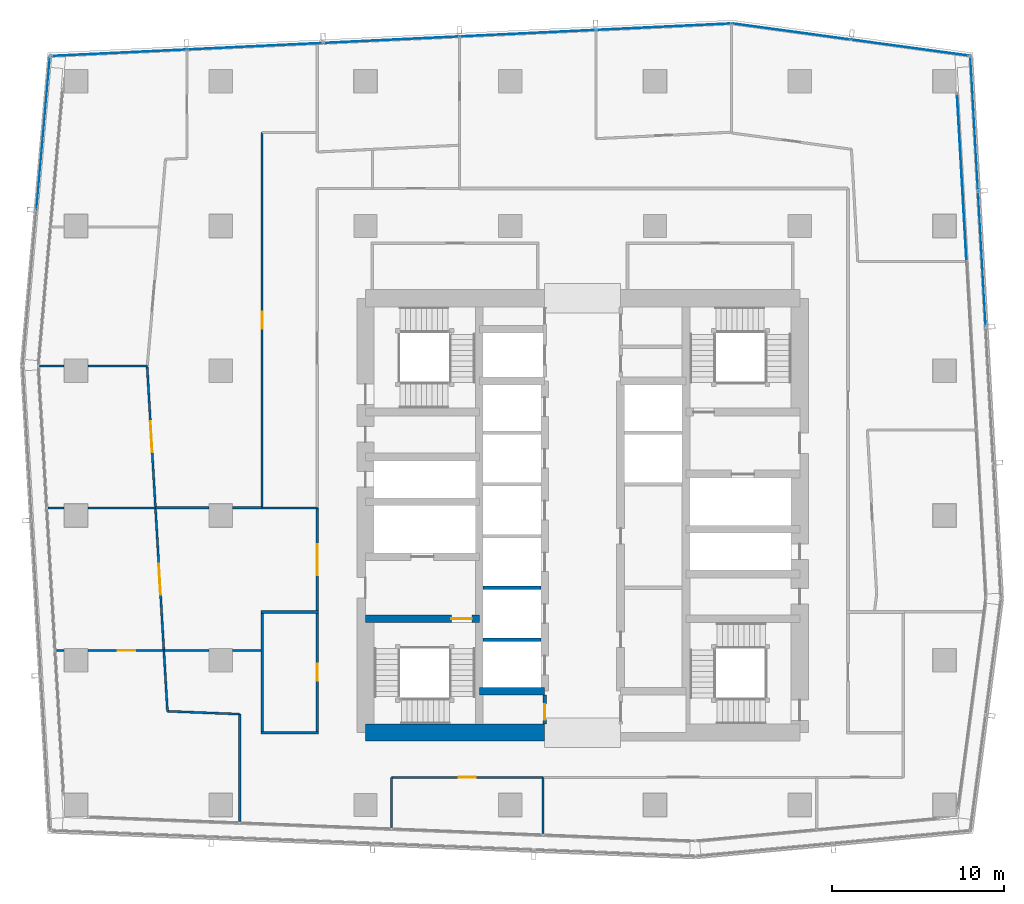
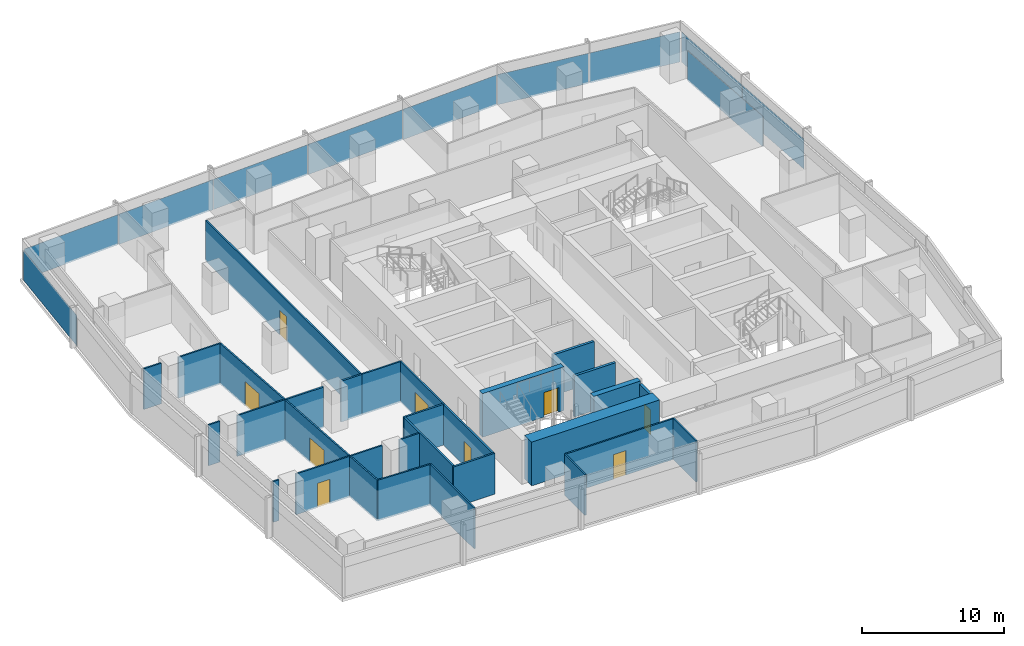
# One storey, part 27 of 39: 31 walls, 11 plates, 9 doors, 9 openings, 5 elements without a shape of their own.
"""IFC4 building model written with IfcOpenShell, lengths in metres."""

from ifc_helpers import new_model, si_unit, direction, frame, frame_2d, origin, origin_2d, place, context, subcontext, project, spatial, rectangle, extrude, material, layer, layer_set, type_object, element, fill, aggregate, save


model = new_model("IFC4")

# Units and contexts
model_context = context("Model", 3, precision=1e-05, world=origin(), true_north=direction((0.0, 1.0)))
body_context = subcontext(model_context, "Body", "Model", "MODEL_VIEW")
ifc_project = project(units=[si_unit("LENGTHUNIT", "METRE"), si_unit("AREAUNIT", "SQUARE_METRE"), si_unit("VOLUMEUNIT", "CUBIC_METRE"), si_unit("PLANEANGLEUNIT", "RADIAN"), si_unit("MASSUNIT", "GRAM", prefix="KILO")], contexts=[model_context])

# Site, building, storey
site_placement = place(None, origin())
site = spatial("IfcSite", under=ifc_project, at=site_placement, CompositionType="ELEMENT")
building_placement = place(site_placement, origin())
building = spatial("IfcBuilding", under=site, at=building_placement, Name="Rekha Terrace Tower", CompositionType="ELEMENT")
storey_placement = place(building_placement, frame((0.0, 0.0, 225.199951171875)))
storey = spatial("IfcBuildingStorey", under=building, at=storey_placement, Name="L57", CompositionType="ELEMENT", Elevation=225.199951171875)

# Curtain wall, plate
ifc_material_1 = material(Name="Aluminium framing", Category="aluminium")
curtain_wall_type_1 = type_object("IfcCurtainWallType", Name="CW1 double skin inner glazing", PredefinedType="USERDEFINED", material=ifc_material_1)
curtain_wall_1_placement = place(storey_placement, origin())
curtain_wall_1 = element("IfcCurtainWall", 1, at=curtain_wall_1_placement, inside=storey, type_object=curtain_wall_type_1, Name="CW1 double skin inner glazing", ObjectType="DOUBLE SKIN INNER GLAZING", PredefinedType="USERDEFINED")
ifc_material_2 = material(Name="Double-glazed low-e unit 32", Category="glass")
ifc_layer_1 = layer(ifc_material_2, 0.031982421875)
ifc_layer_set_1 = layer_set([ifc_layer_1], Name="Double-glazed low-e unit 32")
plate_type_1 = type_object("IfcPlateType", Name="CW1 jumbo vision panel, double-glazed low-e unit 32", PredefinedType="CURTAIN_PANEL", material=ifc_layer_set_1)
plate_1_placement = place(storey_placement, frame((59.799560546875, 53.203369140625, 0.0), z_axis=(0.0, 0.0, 1.0), x_axis=(-0.05667319486, 0.998392782919, 0.0)))
plate_1 = element("IfcPlate", 2, at=plate_1_placement, type_object=plate_type_1, Name="CW1 panel 3.1", PredefinedType="CURTAIN_PANEL", context=body_context, shape_type="SweptSolid", body=[
    extrude(rectangle(XDim=9.694091796875, YDim=0.031982421875, at=origin_2d()), origin(), (0.0, 0.0, 1.0), 2.60009765625),
])
aggregate(curtain_wall_1, [plate_1])

# Curtain wall, plates
curtain_wall_type_2 = type_object("IfcCurtainWallType", Name="CW2 double skin outer glazing", PredefinedType="USERDEFINED", material=ifc_material_1)
curtain_wall_2_placement = place(storey_placement, origin())
curtain_wall_2 = element("IfcCurtainWall", 3, at=curtain_wall_2_placement, inside=storey, type_object=curtain_wall_type_2, Name="CW2 double skin outer glazing", ObjectType="DOUBLE SKIN OUTER GLAZING", PredefinedType="USERDEFINED")
ifc_material_3 = material(Name="Toughened single glazing 12", Category="glass")
ifc_layer_2 = layer(ifc_material_3, 0.011962890625)
ifc_layer_set_2 = layer_set([ifc_layer_2], Name="Toughened single glazing 12")
plate_type_2 = type_object("IfcPlateType", Name="CW2 jumbo vision panel, toughened single glazing 12", PredefinedType="CURTAIN_PANEL", material=ifc_layer_set_2)
plate_2_placement = place(storey_placement, frame((60.9697265625, 48.47314453125, 0.0), z_axis=(0.0, 0.0, 1.0), x_axis=(-0.05667319486, 0.998392782919, 0.0)))
plate_2 = element("IfcPlate", 4, at=plate_2_placement, type_object=plate_type_2, Name="CW2 panel 3.1", PredefinedType="CURTAIN_PANEL", context=body_context, shape_type="SweptSolid", body=[
    extrude(rectangle(XDim=7.823486328125, YDim=0.011962890625, at=origin_2d()), origin(), (0.0, 0.0, 1.0), 2.60009765625),
])
plate_3_placement = place(storey_placement, frame((60.522705078125, 56.343994140625, 0.0), z_axis=(0.0, 0.0, 1.0), x_axis=(-0.05667319486, 0.998392782919, 0.0)))
plate_3 = element("IfcPlate", 5, at=plate_3_placement, type_object=plate_type_2, Name="CW2 panel 4.1", PredefinedType="CURTAIN_PANEL", context=body_context, shape_type="SweptSolid", body=[
    extrude(rectangle(XDim=7.783447265625, YDim=0.011962890625, at=origin_2d()), origin(), (0.0, 0.0, 1.0), 2.60009765625),
])
aggregate(curtain_wall_2, [plate_2, plate_3])

# Curtain wall, plate
curtain_wall_3_placement = place(storey_placement, origin())
curtain_wall_3 = element("IfcCurtainWall", 6, at=curtain_wall_3_placement, inside=storey, type_object=curtain_wall_type_2, Name="CW2 double skin outer glazing", ObjectType="DOUBLE SKIN OUTER GLAZING", PredefinedType="USERDEFINED")
plate_4_placement = place(storey_placement, frame((6.498779296875, 55.78466796875, 0.0), z_axis=(0.0, 0.0, 1.0), x_axis=(-0.087957985453, -0.996124185428, 0.0)))
plate_4 = element("IfcPlate", 7, at=plate_4_placement, type_object=plate_type_2, Name="CW2 panel 1.1", PredefinedType="CURTAIN_PANEL", context=body_context, shape_type="SweptSolid", body=[
    extrude(rectangle(XDim=8.899658203125, YDim=0.011962890625, at=origin_2d()), origin(), (0.0, 0.0, 1.0), 2.60009765625),
])
aggregate(curtain_wall_3, [plate_4])

# Curtain wall, plates
curtain_wall_type_3 = type_object("IfcCurtainWallType", Name="CW3 north unitised glazing", PredefinedType="USERDEFINED", material=ifc_material_1)
curtain_wall_4_placement = place(storey_placement, origin())
curtain_wall_4 = element("IfcCurtainWall", 8, at=curtain_wall_4_placement, inside=storey, type_object=curtain_wall_type_3, Name="CW3 unitised curtain wall", ObjectType="UNITISED CURTAIN WALL", PredefinedType="USERDEFINED")
ifc_material_4 = material(Name="Double-glazed unit 28", Category="glass")
ifc_layer_3 = layer(ifc_material_4, 0.028076171875)
ifc_layer_set_3 = layer_set([ifc_layer_3], Name="Double-glazed unit 28")
plate_type_3 = type_object("IfcPlateType", Name="CW3 jumbo vision panel, double-glazed unit 28", PredefinedType="CURTAIN_PANEL", material=ifc_layer_set_3)
plate_5_placement = place(storey_placement, frame((56.797119140625, 60.745361328125, 0.0), z_axis=(0.0, 0.0, 1.0), x_axis=(-0.990867270504, 0.134840840416, 0.0)))
plate_5 = element("IfcPlate", 9, at=plate_5_placement, type_object=plate_type_3, Name="CW3 panel 1.1", PredefinedType="CURTAIN_PANEL", context=body_context, shape_type="SweptSolid", body=[
    extrude(rectangle(XDim=6.8486328125, YDim=0.028076171875, at=origin_2d()), origin(), (0.0, 0.0, 1.0), 2.60009765625),
])
plate_6_placement = place(storey_placement, frame((49.906982421875, 61.682861328125, 0.0), z_axis=(0.0, 0.0, 1.0), x_axis=(-0.990867270504, 0.134840840416, 0.0)))
plate_6 = element("IfcPlate", 10, at=plate_6_placement, type_object=plate_type_3, Name="CW3 panel 2.1", PredefinedType="CURTAIN_PANEL", context=body_context, shape_type="SweptSolid", body=[
    extrude(rectangle(XDim=6.918701171875, YDim=0.028076171875, at=origin_2d()), origin(), (0.0, 0.0, 1.0), 2.60009765625),
])
aggregate(curtain_wall_4, [plate_5, plate_6])

curtain_wall_5_placement = place(storey_placement, origin())
curtain_wall_5 = element("IfcCurtainWall", 11, at=curtain_wall_5_placement, inside=storey, type_object=curtain_wall_type_3, Name="CW3 unitised curtain wall", ObjectType="UNITISED CURTAIN WALL", PredefinedType="USERDEFINED")
plate_7_placement = place(storey_placement, frame((42.50732421875, 61.95947265625, 0.0), z_axis=(0.0, 0.0, 1.0), x_axis=(-0.998858906204, -0.047758616983, 0.0)))
plate_7 = element("IfcPlate", 12, at=plate_7_placement, type_object=plate_type_3, Name="CW3 panel 1.1", PredefinedType="CURTAIN_PANEL", context=body_context, shape_type="SweptSolid", body=[
    extrude(rectangle(XDim=7.81298828125, YDim=0.028076171875, at=origin_2d()), origin(), (0.0, 0.0, 1.0), 2.60009765625),
])
plate_8_placement = place(storey_placement, frame((34.61572265625, 61.58203125, 0.0), z_axis=(0.0, 0.0, 1.0), x_axis=(-0.998858906204, -0.047758616983, 0.0)))
plate_8 = element("IfcPlate", 13, at=plate_8_placement, type_object=plate_type_3, Name="CW3 panel 2.1", PredefinedType="CURTAIN_PANEL", context=body_context, shape_type="SweptSolid", body=[
    extrude(rectangle(XDim=7.84814453125, YDim=0.028076171875, at=origin_2d()), origin(), (0.0, 0.0, 1.0), 2.60009765625),
])
plate_9_placement = place(storey_placement, frame((26.70654296875, 61.203857421875, 0.0), z_axis=(0.0, 0.0, 1.0), x_axis=(-0.998858906204, -0.047758616983, 0.0)))
plate_9 = element("IfcPlate", 14, at=plate_9_placement, type_object=plate_type_3, Name="CW3 panel 3.1", PredefinedType="CURTAIN_PANEL", context=body_context, shape_type="SweptSolid", body=[
    extrude(rectangle(XDim=7.84814453125, YDim=0.028076171875, at=origin_2d()), origin(), (0.0, 0.0, 1.0), 2.60009765625),
])
plate_10_placement = place(storey_placement, frame((18.79736328125, 60.82568359375, 0.0), z_axis=(0.0, 0.0, 1.0), x_axis=(-0.998858906204, -0.047758616983, 0.0)))
plate_10 = element("IfcPlate", 15, at=plate_10_placement, type_object=plate_type_3, Name="CW3 panel 4.1", PredefinedType="CURTAIN_PANEL", context=body_context, shape_type="SweptSolid", body=[
    extrude(rectangle(XDim=7.84814453125, YDim=0.028076171875, at=origin_2d()), origin(), (0.0, 0.0, 1.0), 2.60009765625),
])
plate_11_placement = place(storey_placement, frame((10.906005859375, 60.448486328125, 0.0), z_axis=(0.0, 0.0, 1.0), x_axis=(-0.998858906204, -0.047758616983, 0.0)))
plate_11 = element("IfcPlate", 16, at=plate_11_placement, type_object=plate_type_3, Name="CW3 panel 5.1", PredefinedType="CURTAIN_PANEL", context=body_context, shape_type="SweptSolid", body=[
    extrude(rectangle(XDim=7.81298828125, YDim=0.028076171875, at=origin_2d()), origin(), (0.0, 0.0, 1.0), 2.60009765625),
])
aggregate(curtain_wall_5, [plate_7, plate_8, plate_9, plate_10, plate_11])

# Wall
ifc_material_5 = material(Name="Concrete M60", Category="concrete")
ifc_layer_4 = layer(ifc_material_5, 0.449951171875)
ifc_layer_set_4 = layer_set([ifc_layer_4], Name="Concrete M60")
wall_type_1 = type_object("IfcWallType", Name="CI3 450 core internal shear wall", PredefinedType="SHEAR", material=ifc_layer_set_4)
wall_1_placement = place(storey_placement, frame((31.800048828125, 23.39990234375, 0.0), z_axis=(0.0, 0.0, 1.0), x_axis=(1.0, 0.0, 0.0)))
element("IfcWall", 17, at=wall_1_placement, inside=storey, type_object=wall_type_1, Name="Core wall Y234W L57", PredefinedType="SHEAR", context=body_context, shape_type="SweptSolid", body=[
    extrude(rectangle(XDim=3.800048828125, YDim=0.449951171875, at=frame_2d((1.89990234375, 0.0))), origin(), (0.0, 0.0, 1.0), 3.75),
])

# Wall, opening, door
wall_2_placement = place(storey_placement, frame((25.199951171875, 27.60009765625, 0.0), z_axis=(0.0, 0.0, 1.0), x_axis=(1.0, 0.0, 0.0)))
wall_2 = element("IfcWall", 18, at=wall_2_placement, inside=storey, type_object=wall_type_1, Name="Core wall Y276W L57", PredefinedType="SHEAR", context=body_context, shape_type="SweptSolid", body=[
    extrude(rectangle(XDim=6.60009765625, YDim=0.449951171875, at=frame_2d((3.300048828125, 0.0))), origin(), (0.0, 0.0, 1.0), 3.75),
])
opening_1_placement = place(wall_2_placement, frame((4.97509765625, 0.0, 0.0)))
opening_1 = element("IfcOpeningElement", 19, at=opening_1_placement, cuts=wall_2, Name="Opening D1", PredefinedType="OPENING", context=body_context, shape_type="SweptSolid", body=[
    extrude(rectangle(XDim=1.199951171875, YDim=2.10009765625, at=frame_2d((0.60009765625, 1.050048828125))), frame((0.0, 0.23486328125, 0.0), z_axis=(0.0, -1.0, 0.0), x_axis=(1.0, 0.0, 0.0)), (0.0, 0.0, 1.0), 0.469970703125),
])
ifc_material_6 = material(Name="Steel fire door", Category="steel")
door_type_1 = type_object("IfcDoorType", Name="D1 1200x2100 stair fire door", OperationType="SINGLE_SWING_RIGHT", PredefinedType="DOOR", material=ifc_material_6)
door_1_placement = place(opening_1_placement, origin())
door_1 = element("IfcDoor", 20, at=door_1_placement, inside=storey, type_object=door_type_1, Name="Stair ST1 door L57", OperationType="SINGLE_SWING_RIGHT", OverallHeight=2.10009765625, OverallWidth=1.199951171875, PredefinedType="DOOR", context=body_context, shape_type="SweptSolid", body=[
    extrude(rectangle(XDim=1.199951171875, YDim=2.10009765625, at=frame_2d((0.60009765625, 1.050048828125))), frame((0.0, 0.02490234375, 0.0), z_axis=(0.0, -1.0, 0.0), x_axis=(1.0, 0.0, 0.0)), (0.0, 0.0, 1.0), 0.050048828125),
])
fill(opening_1, door_1)

# Walls
ifc_layer_5 = layer(ifc_material_5, 1.0)
ifc_layer_set_5 = layer_set([ifc_layer_5], Name="Concrete M60")
wall_type_2 = type_object("IfcWallType", Name="SW3 1000 core outer shear wall", PredefinedType="SHEAR", material=ifc_layer_set_5)
wall_3_placement = place(storey_placement, frame((25.199951171875, 21.0, 0.0), z_axis=(0.0, 0.0, 1.0), x_axis=(1.0, 0.0, 0.0)))
element("IfcWall", 21, at=wall_3_placement, inside=storey, type_object=wall_type_2, Name="Core wall S1 L57", PredefinedType="SHEAR", context=body_context, shape_type="SweptSolid", body=[
    extrude(rectangle(XDim=10.400146484375, YDim=1.0, at=frame_2d((5.2001953125, 0.0))), origin(), (0.0, 0.0, 1.0), 3.75),
])
ifc_material_7 = material(Name="Concrete block masonry, 1 hour", Category="masonry")
ifc_layer_6 = layer(ifc_material_7, 0.14990234375)
ifc_layer_set_6 = layer_set([ifc_layer_6], Name="Concrete block masonry, 1 hour")
wall_type_3 = type_object("IfcWallType", Name="WP2 150 tenancy partition", PredefinedType="PARTITIONING", material=ifc_layer_set_6)
for number, where, z_axis, x_axis, name in (
    (22, (19.125, 21.0, 0.0), (0.0, 0.0, 1.0), (1.0, 0.0, 0.0), "Men's WC wall L57"),
    (23, (19.125, 28.0, 0.0), (0.0, 0.0, 1.0), (1.0, 0.0, 0.0), "Men's WC wall L57"),
):
    element("IfcWall", number, at=place(storey_placement, frame(where, z_axis=z_axis, x_axis=x_axis)), inside=storey, type_object=wall_type_3, Name=name, PredefinedType="PARTITIONING", context=body_context, shape_type="SweptSolid", body=[
        extrude(rectangle(XDim=3.35009765625, YDim=0.14990234375, at=frame_2d((1.675048828125, 0.0))), origin(), (0.0, 0.0, 1.0), 3.5),
    ])
wall_4_placement = place(storey_placement, frame((19.199951171875, 21.074951171875, 0.0), z_axis=(0.0, 0.0, 1.0), x_axis=(0.0, 1.0, 0.0)))
element("IfcWall", 24, at=wall_4_placement, inside=storey, type_object=wall_type_3, Name="Men's WC wall L57", PredefinedType="PARTITIONING", context=body_context, shape_type="SweptSolid", body=[
    extrude(rectangle(XDim=6.85009765625, YDim=0.14990234375, at=frame_2d((3.425048828125, 0.0))), origin(), (0.0, 0.0, 1.0), 3.5),
])

# Wall, opening, door
wall_5_placement = place(storey_placement, frame((22.39990234375, 21.074951171875, 0.0), z_axis=(0.0, 0.0, 1.0), x_axis=(0.0, 1.0, 0.0)))
wall_5 = element("IfcWall", 25, at=wall_5_placement, inside=storey, type_object=wall_type_3, Name="Men's WC wall L57", PredefinedType="PARTITIONING", context=body_context, shape_type="SweptSolid", body=[
    extrude(rectangle(XDim=6.85009765625, YDim=0.14990234375, at=frame_2d((3.425048828125, 0.0))), origin(), (0.0, 0.0, 1.0), 3.5),
])
opening_2_placement = place(wall_5_placement, frame((2.925048828125, 0.0, 0.0)))
opening_2 = element("IfcOpeningElement", 26, at=opening_2_placement, cuts=wall_5, Name="Opening D3", PredefinedType="OPENING", context=body_context, shape_type="SweptSolid", body=[
    extrude(rectangle(XDim=1.0, YDim=2.10009765625, at=frame_2d((0.5, 1.050048828125))), frame((0.0, 0.0849609375, 0.0), z_axis=(0.0, -1.0, 0.0), x_axis=(1.0, 0.0, 0.0)), (0.0, 0.0, 1.0), 0.169921875),
])
ifc_material_8 = material(Name="Laminated timber fire door", Category="wood")
door_type_2 = type_object("IfcDoorType", Name="D3 1000x2100 WC door", OperationType="SINGLE_SWING_LEFT", PredefinedType="DOOR", material=ifc_material_8)
door_2_placement = place(opening_2_placement, origin())
door_2 = element("IfcDoor", 27, at=door_2_placement, inside=storey, type_object=door_type_2, Name="Door men's wc L57", OperationType="SINGLE_SWING_LEFT", OverallHeight=2.10009765625, OverallWidth=1.0, PredefinedType="DOOR", context=body_context, shape_type="SweptSolid", body=[
    extrude(rectangle(XDim=1.0, YDim=2.10009765625, at=frame_2d((0.5, 1.050048828125))), frame((0.0, 0.02490234375, 0.0), z_axis=(0.0, -1.0, 0.0), x_axis=(1.0, 0.0, 0.0)), (0.0, 0.0, 1.0), 0.050048828125),
])
fill(opening_2, door_2)

# Walls
wall_6_placement = place(storey_placement, frame((19.199951171875, 34.0400390625, 0.0), z_axis=(0.0, 0.0, 1.0), x_axis=(-1.0, 0.0, 0.0)))
element("IfcWall", 28, at=wall_6_placement, inside=storey, type_object=wall_type_3, Name="Partition L57-O1b", PredefinedType="PARTITIONING", context=body_context, shape_type="SweptSolid", body=[
    extrude(rectangle(XDim=1.704833984375, YDim=0.14990234375, at=frame_2d((0.8525390625, 0.0))), origin(), (0.0, 0.0, 1.0), 3.5),
])
wall_7_placement = place(storey_placement, frame((16.10498046875, 34.0400390625, 0.0), z_axis=(0.0, 0.0, 1.0), x_axis=(-1.0, 0.0, 0.0)))
element("IfcWall", 29, at=wall_7_placement, inside=storey, type_object=wall_type_3, Name="Partition L57-O1b", PredefinedType="PARTITIONING", context=body_context, shape_type="SweptSolid", body=[
    extrude(rectangle(XDim=3.093994140625, YDim=0.14990234375, at=frame_2d((1.546875, 0.0))), origin(), (0.0, 0.0, 1.0), 3.5),
])
ifc_material_9 = material(Name="Two layers of fire-rated gypsum board each side on steel studs, acoustic quilt, 1 hour", Category="steel")
ifc_layer_7 = layer(ifc_material_9, 0.125)
ifc_layer_set_7 = layer_set([ifc_layer_7], Name="Two layers of fire-rated gypsum board each side on steel studs, acoustic quilt, 1 hour")
wall_type_4 = type_object("IfcWallType", Name="WP3 125 office partition", PredefinedType="PARTITIONING", material=ifc_layer_set_7)
wall_8_placement = place(storey_placement, frame((35.508056640625, 15.14306640625, 0.0), z_axis=(0.0, 0.0, 1.0), x_axis=(0.0, 1.0, 0.0)))
element("IfcWall", 30, at=wall_8_placement, inside=storey, type_object=wall_type_4, Name="Partition L57-02", PredefinedType="PARTITIONING", context=body_context, shape_type="SweptSolid", body=[
    extrude(rectangle(XDim=3.2568359375, YDim=0.125, at=frame_2d((1.62841796875, 0.0))), origin(), (0.0, 0.0, 1.0), 3.5),
])
wall_9_placement = place(storey_placement, frame((12.534912109375, 42.282958984375, 0.0), z_axis=(0.0, 0.0, 1.0), x_axis=(-1.0, 0.0, 0.0)))
element("IfcWall", 31, at=wall_9_placement, inside=storey, type_object=wall_type_4, Name="Partition L57-09", PredefinedType="PARTITIONING", context=body_context, shape_type="SweptSolid", body=[
    extrude(rectangle(XDim=3.43994140625, YDim=0.125, at=frame_2d((1.719970703125, 0.0))), origin(), (0.0, 0.0, 1.0), 3.5),
])
wall_10_placement = place(storey_placement, frame((7.705078125, 42.282958984375, 0.0), z_axis=(0.0, 0.0, 1.0), x_axis=(-1.0, 0.0, 0.0)))
element("IfcWall", 32, at=wall_10_placement, inside=storey, type_object=wall_type_4, Name="Partition L57-09", PredefinedType="PARTITIONING", context=body_context, shape_type="SweptSolid", body=[
    extrude(rectangle(XDim=1.41015625, YDim=0.125, at=frame_2d((0.705078125, 0.0))), origin(), (0.0, 0.0, 1.0), 3.5),
])

# Wall, opening, door
wall_11_placement = place(storey_placement, frame((12.530029296875, 42.220947265625, 0.0), z_axis=(0.0, 0.0, 1.0), x_axis=(0.058695823025, -0.998275913943, 0.0)))
wall_11 = element("IfcWall", 33, at=wall_11_placement, inside=storey, type_object=wall_type_4, Name="Partition L57-10", PredefinedType="PARTITIONING", context=body_context, shape_type="SweptSolid", body=[
    extrude(rectangle(XDim=8.194091796875, YDim=0.125, at=frame_2d((4.09716796875, 0.0))), origin(), (0.0, 0.0, 1.0), 3.5),
])
opening_3_placement = place(wall_11_placement, frame((3.1650390625, 0.0, 0.0)))
opening_3 = element("IfcOpeningElement", 34, at=opening_3_placement, cuts=wall_11, Name="Opening D8", PredefinedType="OPENING", context=body_context, shape_type="SweptSolid", body=[
    extrude(rectangle(XDim=1.800048828125, YDim=2.10009765625, at=frame_2d((0.89990234375, 1.050048828125))), frame((0.0, 0.072509765625, 0.0), z_axis=(0.0, -1.0, 0.0), x_axis=(1.0, 0.0, 0.0)), (0.0, 0.0, 1.0), 0.14501953125),
])
ifc_material_10 = material(Name="Timber fire door", Category="wood")
door_type_3 = type_object("IfcDoorType", Name="D8 1800x2100 double leaf door", OperationType="DOUBLE_DOOR_SINGLE_SWING", PredefinedType="DOOR", material=ifc_material_10)
door_3_placement = place(opening_3_placement, origin())
door_3 = element("IfcDoor", 35, at=door_3_placement, inside=storey, type_object=door_type_3, Name="Door meeting room L57", OperationType="DOUBLE_DOOR_SINGLE_SWING", OverallHeight=2.10009765625, OverallWidth=1.800048828125, PredefinedType="DOOR", context=body_context, shape_type="SweptSolid", body=[
    extrude(rectangle(XDim=1.800048828125, YDim=2.10009765625, at=frame_2d((0.89990234375, 1.050048828125))), frame((0.0, 0.02490234375, 0.0), z_axis=(0.0, -1.0, 0.0), x_axis=(1.0, 0.0, 0.0)), (0.0, 0.0, 1.0), 0.050048828125),
])
fill(opening_3, door_3)

# Walls
wall_12_placement = place(storey_placement, frame((13.010986328125, 34.041015625, 0.0), z_axis=(0.0, 0.0, 1.0), x_axis=(-1.0, 0.0, 0.0)))
element("IfcWall", 36, at=wall_12_placement, inside=storey, type_object=wall_type_4, Name="Partition L57-10", PredefinedType="PARTITIONING", context=body_context, shape_type="SweptSolid", body=[
    extrude(rectangle(XDim=3.916015625, YDim=0.125, at=frame_2d((1.9580078125, 0.0))), origin(), (0.0, 0.0, 1.0), 3.5),
])
wall_13_placement = place(storey_placement, frame((7.705078125, 34.041015625, 0.0), z_axis=(0.0, 0.0, 1.0), x_axis=(-1.0, 0.0, 0.0)))
element("IfcWall", 37, at=wall_13_placement, inside=storey, type_object=wall_type_4, Name="Partition L57-10", PredefinedType="PARTITIONING", context=body_context, shape_type="SweptSolid", body=[
    extrude(rectangle(XDim=0.925048828125, YDim=0.125, at=frame_2d((0.46240234375, 0.0))), origin(), (0.0, 0.0, 1.0), 3.5),
])
wall_14_placement = place(storey_placement, frame((7.26708984375, 25.76611328125, 0.0), z_axis=(0.0, 0.0, 1.0), x_axis=(1.0, 0.0, 0.0)))
element("IfcWall", 38, at=wall_14_placement, inside=storey, type_object=wall_type_4, Name="Partition L57-11", PredefinedType="PARTITIONING", context=body_context, shape_type="SweptSolid", body=[
    extrude(rectangle(XDim=0.43798828125, YDim=0.125, at=frame_2d((0.218994140625, 0.0))), origin(), (0.0, 0.0, 1.0), 3.5),
])

# Wall, opening, door
wall_15_placement = place(storey_placement, frame((9.094970703125, 25.76611328125, 0.0), z_axis=(0.0, 0.0, 1.0), x_axis=(1.0, 0.0, 0.0)))
wall_15 = element("IfcWall", 39, at=wall_15_placement, inside=storey, type_object=wall_type_4, Name="Partition L57-11", PredefinedType="PARTITIONING", context=body_context, shape_type="SweptSolid", body=[
    extrude(rectangle(XDim=4.403076171875, YDim=0.125, at=frame_2d((2.20166015625, 0.0))), origin(), (0.0, 0.0, 1.0), 3.5),
])
opening_4_placement = place(wall_15_placement, frame((1.737060546875, 0.0, 0.0)))
opening_4 = element("IfcOpeningElement", 40, at=opening_4_placement, cuts=wall_15, Name="Opening D9", PredefinedType="OPENING", context=body_context, shape_type="SweptSolid", body=[
    extrude(rectangle(XDim=1.0, YDim=2.10009765625, at=frame_2d((0.5, 1.050048828125))), frame((0.0, 0.072509765625, 0.0), z_axis=(0.0, -1.0, 0.0), x_axis=(1.0, 0.0, 0.0)), (0.0, 0.0, 1.0), 0.14501953125),
])
door_type_4 = type_object("IfcDoorType", Name="D9 1000x2100 office door", OperationType="SINGLE_SWING_LEFT", PredefinedType="DOOR", material=ifc_material_10)
door_4_placement = place(opening_4_placement, origin())
door_4 = element("IfcDoor", 41, at=door_4_placement, inside=storey, type_object=door_type_4, Name="Door director's office L57", OperationType="SINGLE_SWING_LEFT", OverallHeight=2.10009765625, OverallWidth=1.0, PredefinedType="DOOR", context=body_context, shape_type="SweptSolid", body=[
    extrude(rectangle(XDim=1.0, YDim=2.10009765625, at=frame_2d((0.5, 1.050048828125))), frame((0.0, 0.02490234375, 0.0), z_axis=(0.0, -1.0, 0.0), x_axis=(1.0, 0.0, 0.0)), (0.0, 0.0, 1.0), 0.050048828125),
])
fill(opening_4, door_4)

# Walls
wall_16_placement = place(storey_placement, frame((13.498046875, 25.76611328125, 0.0), z_axis=(0.0, 0.0, 1.0), x_axis=(0.058855654346, -0.998266503471, 0.0)))
element("IfcWall", 42, at=wall_16_placement, inside=storey, type_object=wall_type_4, Name="Partition L57-11", PredefinedType="PARTITIONING", context=body_context, shape_type="SweptSolid", body=[
    extrude(rectangle(XDim=3.5341796875, YDim=0.125, at=frame_2d((1.76708984375, 0.0))), origin(), (0.0, 0.0, 1.0), 3.5),
])
wall_17_placement = place(storey_placement, frame((13.7060546875, 22.238037109375, 0.0), z_axis=(0.0, 0.0, 1.0), x_axis=(0.999207821605, -0.039796095841, 0.0)))
element("IfcWall", 43, at=wall_17_placement, inside=storey, type_object=wall_type_4, Name="Partition L57-11", PredefinedType="PARTITIONING", context=body_context, shape_type="SweptSolid", body=[
    extrude(rectangle(XDim=4.1962890625, YDim=0.125, at=frame_2d((2.09814453125, 0.0))), origin(), (0.0, 0.0, 1.0), 3.5),
])
wall_18_placement = place(storey_placement, frame((17.89892578125, 22.071044921875, 0.0), z_axis=(0.0, 0.0, 1.0), x_axis=(0.0, -1.0, 0.0)))
element("IfcWall", 44, at=wall_18_placement, inside=storey, type_object=wall_type_4, Name="Partition L57-11", PredefinedType="PARTITIONING", context=body_context, shape_type="SweptSolid", body=[
    extrude(rectangle(XDim=6.22509765625, YDim=0.125, at=frame_2d((3.112548828125, 0.0))), origin(), (0.0, 0.0, 1.0), 3.5),
])

# Wall, opening, door
wall_19_placement = place(storey_placement, frame((26.7041015625, 18.39990234375, 0.0), z_axis=(0.0, 0.0, 1.0), x_axis=(1.0, 0.0, 0.0)))
wall_19 = element("IfcWall", 45, at=wall_19_placement, inside=storey, type_object=wall_type_4, Name="Partition L57-12", PredefinedType="PARTITIONING", context=body_context, shape_type="SweptSolid", body=[
    extrude(rectangle(XDim=8.802978515625, YDim=0.125, at=frame_2d((4.4013671875, 0.0))), origin(), (0.0, 0.0, 1.0), 3.5),
])
opening_5_placement = place(wall_19_placement, frame((3.90087890625, 0.0, 0.0)))
opening_5 = element("IfcOpeningElement", 46, at=opening_5_placement, cuts=wall_19, Name="Opening D9", PredefinedType="OPENING", context=body_context, shape_type="SweptSolid", body=[
    extrude(rectangle(XDim=1.0, YDim=2.10009765625, at=frame_2d((0.5, 1.050048828125))), frame((0.0, 0.072509765625, 0.0), z_axis=(0.0, -1.0, 0.0), x_axis=(1.0, 0.0, 0.0)), (0.0, 0.0, 1.0), 0.14501953125),
])
door_5_placement = place(opening_5_placement, origin())
door_5 = element("IfcDoor", 47, at=door_5_placement, inside=storey, type_object=door_type_4, Name="Door print room L57", OperationType="SINGLE_SWING_LEFT", OverallHeight=2.10009765625, OverallWidth=1.0, PredefinedType="DOOR", context=body_context, shape_type="SweptSolid", body=[
    extrude(rectangle(XDim=1.0, YDim=2.10009765625, at=frame_2d((0.5, 1.050048828125))), frame((0.0, 0.02490234375, 0.0), z_axis=(0.0, -1.0, 0.0), x_axis=(1.0, 0.0, 0.0)), (0.0, 0.0, 1.0), 0.050048828125),
])
fill(opening_5, door_5)

# Walls
wall_20_placement = place(storey_placement, frame((26.7041015625, 15.4951171875, 0.0), z_axis=(0.0, 0.0, 1.0), x_axis=(0.0, 1.0, 0.0)))
element("IfcWall", 48, at=wall_20_placement, inside=storey, type_object=wall_type_4, Name="Partition L57-12", PredefinedType="PARTITIONING", context=body_context, shape_type="SweptSolid", body=[
    extrude(rectangle(XDim=2.90478515625, YDim=0.125, at=frame_2d((1.452392578125, 0.0))), origin(), (0.0, 0.0, 1.0), 3.5),
])
wall_21_placement = place(storey_placement, frame((22.39990234375, 34.0400390625, 0.0), z_axis=(0.0, 0.0, 1.0), x_axis=(-1.0, 0.0, 0.0)))
element("IfcWall", 49, at=wall_21_placement, inside=storey, type_object=wall_type_4, Name="Partition L57-13", PredefinedType="PARTITIONING", context=body_context, shape_type="SweptSolid", body=[
    extrude(rectangle(XDim=3.199951171875, YDim=0.125, at=frame_2d((1.60009765625, 0.0))), origin(), (0.0, 0.0, 1.0), 3.5),
])

# Wall, opening, door
wall_22_placement = place(storey_placement, frame((19.199951171875, 34.0400390625, 0.0), z_axis=(0.0, 0.0, 1.0), x_axis=(0.0, 1.0, 0.0)))
wall_22 = element("IfcWall", 50, at=wall_22_placement, inside=storey, type_object=wall_type_4, Name="Partition L57-13", PredefinedType="PARTITIONING", context=body_context, shape_type="SweptSolid", body=[
    extrude(rectangle(XDim=21.7890625, YDim=0.125, at=frame_2d((10.89453125, 0.0))), origin(), (0.0, 0.0, 1.0), 3.5),
])
opening_6_placement = place(wall_22_placement, frame((10.39501953125, 0.0, 0.0)))
opening_6 = element("IfcOpeningElement", 51, at=opening_6_placement, cuts=wall_22, Name="Opening D9", PredefinedType="OPENING", context=body_context, shape_type="SweptSolid", body=[
    extrude(rectangle(XDim=1.0, YDim=2.10009765625, at=frame_2d((0.5, 1.050048828125))), frame((0.0, 0.072509765625, 0.0), z_axis=(0.0, -1.0, 0.0), x_axis=(1.0, 0.0, 0.0)), (0.0, 0.0, 1.0), 0.14501953125),
])
door_6_placement = place(opening_6_placement, origin())
door_6 = element("IfcDoor", 52, at=door_6_placement, inside=storey, type_object=door_type_4, Name="Door open-plan office L57", OperationType="SINGLE_SWING_LEFT", OverallHeight=2.10009765625, OverallWidth=1.0, PredefinedType="DOOR", context=body_context, shape_type="SweptSolid", body=[
    extrude(rectangle(XDim=1.0, YDim=2.10009765625, at=frame_2d((0.5, 1.050048828125))), frame((0.0, 0.02490234375, 0.0), z_axis=(0.0, -1.0, 0.0), x_axis=(1.0, 0.0, 0.0)), (0.0, 0.0, 1.0), 0.050048828125),
])
fill(opening_6, door_6)

wall_23_placement = place(storey_placement, frame((13.010986328125, 34.0400390625, 0.0), z_axis=(0.0, 0.0, 1.0), x_axis=(0.058765190518, -0.998271832911, 0.0)))
wall_23 = element("IfcWall", 53, at=wall_23_placement, inside=storey, type_object=wall_type_4, Name="Partition L57-15", PredefinedType="PARTITIONING", context=body_context, shape_type="SweptSolid", body=[
    extrude(rectangle(XDim=8.288330078125, YDim=0.125, at=frame_2d((4.14404296875, 0.0))), origin(), (0.0, 0.0, 1.0), 3.5),
])
opening_7_placement = place(wall_23_placement, frame((3.243896484375, 0.0, 0.0)))
opening_7 = element("IfcOpeningElement", 54, at=opening_7_placement, cuts=wall_23, Name="Opening D8", PredefinedType="OPENING", context=body_context, shape_type="SweptSolid", body=[
    extrude(rectangle(XDim=1.800048828125, YDim=2.10009765625, at=frame_2d((0.89990234375, 1.050048828125))), frame((0.0, 0.072509765625, 0.0), z_axis=(0.0, -1.0, 0.0), x_axis=(1.0, 0.0, 0.0)), (0.0, 0.0, 1.0), 0.14501953125),
])
door_7_placement = place(opening_7_placement, origin())
door_7 = element("IfcDoor", 55, at=door_7_placement, inside=storey, type_object=door_type_3, Name="Door board meeting room L57", OperationType="DOUBLE_DOOR_SINGLE_SWING", OverallHeight=2.10009765625, OverallWidth=1.800048828125, PredefinedType="DOOR", context=body_context, shape_type="SweptSolid", body=[
    extrude(rectangle(XDim=1.800048828125, YDim=2.10009765625, at=frame_2d((0.89990234375, 1.050048828125))), frame((0.0, 0.02490234375, 0.0), z_axis=(0.0, -1.0, 0.0), x_axis=(1.0, 0.0, 0.0)), (0.0, 0.0, 1.0), 0.050048828125),
])
fill(opening_7, door_7)

# Walls
wall_24_placement = place(storey_placement, frame((19.125, 25.76611328125, 0.0), z_axis=(0.0, 0.0, 1.0), x_axis=(-1.0, 0.0, 0.0)))
element("IfcWall", 56, at=wall_24_placement, inside=storey, type_object=wall_type_4, Name="Partition L57-16", PredefinedType="PARTITIONING", context=body_context, shape_type="SweptSolid", body=[
    extrude(rectangle(XDim=1.6298828125, YDim=0.125, at=frame_2d((0.81494140625, 0.0))), origin(), (0.0, 0.0, 1.0), 3.5),
])
wall_25_placement = place(storey_placement, frame((16.10498046875, 25.76611328125, 0.0), z_axis=(0.0, 0.0, 1.0), x_axis=(-1.0, 0.0, 0.0)))
element("IfcWall", 57, at=wall_25_placement, inside=storey, type_object=wall_type_4, Name="Partition L57-16", PredefinedType="PARTITIONING", context=body_context, shape_type="SweptSolid", body=[
    extrude(rectangle(XDim=2.60693359375, YDim=0.125, at=frame_2d((1.303466796875, 0.0))), origin(), (0.0, 0.0, 1.0), 3.5),
])

# Wall, opening, door
wall_26_placement = place(storey_placement, frame((22.39990234375, 34.0400390625, 0.0), z_axis=(0.0, 0.0, 1.0), x_axis=(0.0, -1.0, 0.0)))
wall_26 = element("IfcWall", 58, at=wall_26_placement, inside=storey, type_object=wall_type_4, Name="Partition L57-16", PredefinedType="PARTITIONING", context=body_context, shape_type="SweptSolid", body=[
    extrude(rectangle(XDim=5.965087890625, YDim=0.125, at=frame_2d((2.982421875, 0.0))), origin(), (0.0, 0.0, 1.0), 3.5),
])
opening_8_placement = place(wall_26_placement, frame((2.1201171875, 0.0, 0.0)))
opening_8 = element("IfcOpeningElement", 59, at=opening_8_placement, cuts=wall_26, Name="Opening D8", PredefinedType="OPENING", context=body_context, shape_type="SweptSolid", body=[
    extrude(rectangle(XDim=1.800048828125, YDim=2.10009765625, at=frame_2d((0.89990234375, 1.050048828125))), frame((0.0, 0.072509765625, 0.0), z_axis=(0.0, -1.0, 0.0), x_axis=(1.0, 0.0, 0.0)), (0.0, 0.0, 1.0), 0.14501953125),
])
door_8_placement = place(opening_8_placement, origin())
door_8 = element("IfcDoor", 60, at=door_8_placement, inside=storey, type_object=door_type_3, Name="Door breakout lounge L57", OperationType="DOUBLE_DOOR_SINGLE_SWING", OverallHeight=2.10009765625, OverallWidth=1.800048828125, PredefinedType="DOOR", context=body_context, shape_type="SweptSolid", body=[
    extrude(rectangle(XDim=1.800048828125, YDim=2.10009765625, at=frame_2d((0.89990234375, 1.050048828125))), frame((0.0, 0.02490234375, 0.0), z_axis=(0.0, -1.0, 0.0), x_axis=(1.0, 0.0, 0.0)), (0.0, 0.0, 1.0), 0.050048828125),
])
fill(opening_8, door_8)

# Walls
ifc_material_11 = material(Name="Solid concrete block masonry, 2 hour", Category="masonry")
ifc_layer_8 = layer(ifc_material_11, 0.199951171875)
ifc_layer_set_8 = layer_set([ifc_layer_8], Name="Solid concrete block masonry, 2 hour")
wall_type_5 = type_object("IfcWallType", Name="WS1 200 stair and shaft enclosure", PredefinedType="PARTITIONING", material=ifc_layer_set_8)
for number, where, z_axis, x_axis, name in (
    (61, (32.02490234375, 26.39990234375, 0.0), (0.0, 0.0, 1.0), (1.0, 0.0, 0.0), "Lift shaft divider L57"),
    (62, (32.02490234375, 29.39990234375, 0.0), (0.0, 0.0, 1.0), (1.0, 0.0, 0.0), "Lift shaft divider L57"),
):
    element("IfcWall", number, at=place(storey_placement, frame(where, z_axis=z_axis, x_axis=x_axis)), inside=storey, type_object=wall_type_5, Name=name, PredefinedType="PARTITIONING", context=body_context, shape_type="SweptSolid", body=[
        extrude(rectangle(XDim=3.35009765625, YDim=0.199951171875, at=frame_2d((1.675048828125, 0.0))), origin(), (0.0, 0.0, 1.0), 3.5),
    ])

# Wall, opening, door
wall_27_placement = place(storey_placement, frame((35.60009765625, 21.5, 0.0), z_axis=(0.0, 0.0, 1.0), x_axis=(0.0, 1.0, 0.0)))
wall_27 = element("IfcWall", 63, at=wall_27_placement, inside=storey, type_object=wall_type_5, Name="Core partition west L57", PredefinedType="PARTITIONING", context=body_context, shape_type="SweptSolid", body=[
    extrude(rectangle(XDim=1.675048828125, YDim=0.199951171875, at=frame_2d((0.83740234375, 0.0))), origin(), (0.0, 0.0, 1.0), 3.5),
])
opening_9_placement = place(wall_27_placement, frame((0.25, 0.0, 0.0)))
opening_9 = element("IfcOpeningElement", 64, at=opening_9_placement, cuts=wall_27, Name="Opening D5", PredefinedType="OPENING", context=body_context, shape_type="SweptSolid", body=[
    extrude(rectangle(XDim=0.89990234375, YDim=2.10009765625, at=frame_2d((0.449951171875, 1.050048828125))), frame((0.0, 0.10986328125, 0.0), z_axis=(0.0, -1.0, 0.0), x_axis=(1.0, 0.0, 0.0)), (0.0, 0.0, 1.0), 0.219970703125),
])
door_type_5 = type_object("IfcDoorType", Name="D5 900x2100 riser access door", OperationType="SINGLE_SWING_LEFT", PredefinedType="DOOR", material=ifc_material_6)
door_9_placement = place(opening_9_placement, origin())
door_9 = element("IfcDoor", 65, at=door_9_placement, inside=storey, type_object=door_type_5, Name="Door tenant store L57", OperationType="SINGLE_SWING_LEFT", OverallHeight=2.10009765625, OverallWidth=0.89990234375, PredefinedType="DOOR", context=body_context, shape_type="SweptSolid", body=[
    extrude(rectangle(XDim=0.89990234375, YDim=2.10009765625, at=frame_2d((0.449951171875, 1.050048828125))), frame((0.0, 0.02490234375, 0.0), z_axis=(0.0, -1.0, 0.0), x_axis=(1.0, 0.0, 0.0)), (0.0, 0.0, 1.0), 0.050048828125),
])
fill(opening_9, door_9)

save(model, "model.ifc")
